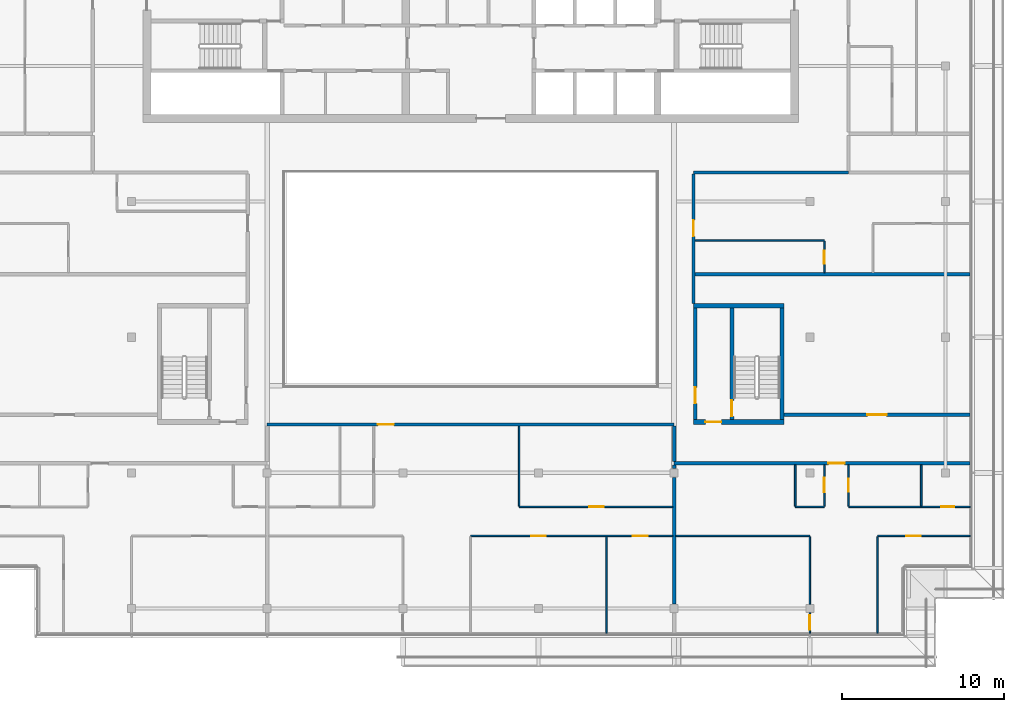
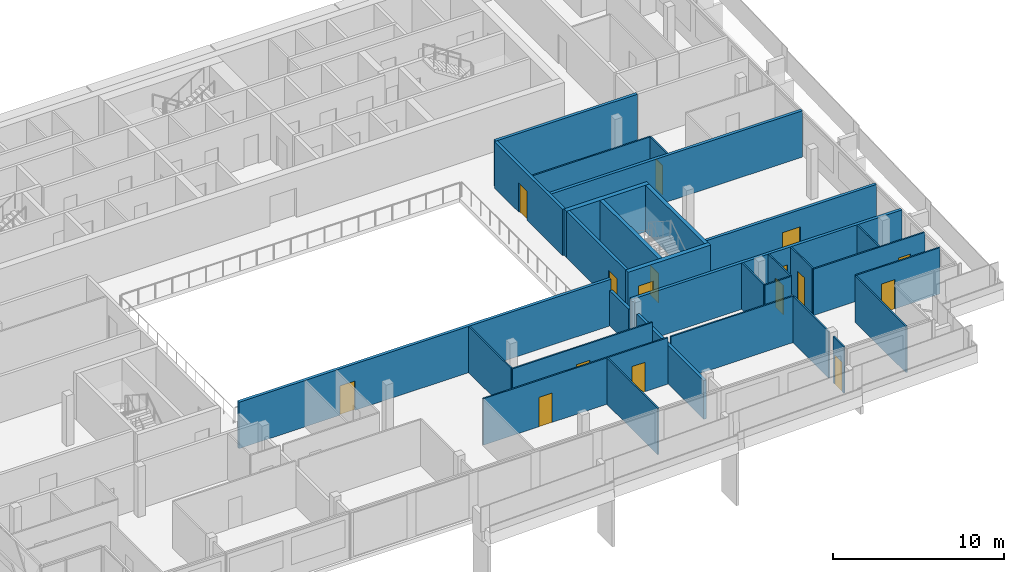
# One storey, part 16 of 26: 31 walls, 16 doors, 16 openings.
"""IFC4 building model written with IfcOpenShell, lengths in metres."""

from ifc_helpers import new_model, si_unit, direction, frame, frame_2d, origin, place, context, subcontext, project, spatial, rectangle, extrude, material, layer, layer_set, type_object, element, fill, save


model = new_model("IFC4")

# Units and contexts
model_context = context("Model", 3, precision=1e-05, world=origin(), true_north=direction((0.0, 1.0)))
body_context = subcontext(model_context, "Body", "Model", "MODEL_VIEW")
ifc_project = project(units=[si_unit("LENGTHUNIT", "METRE"), si_unit("AREAUNIT", "SQUARE_METRE"), si_unit("VOLUMEUNIT", "CUBIC_METRE"), si_unit("PLANEANGLEUNIT", "RADIAN"), si_unit("MASSUNIT", "GRAM", prefix="KILO")], contexts=[model_context])

# Site, building, storey
site_placement = place(None, origin())
site = spatial("IfcSite", under=ifc_project, at=site_placement, CompositionType="ELEMENT")
building_placement = place(site_placement, origin())
building = spatial("IfcBuilding", under=site, at=building_placement, Name="Saffron Gate Tower", CompositionType="ELEMENT")
storey_placement = place(building_placement, frame((0.0, 0.0, 277.949951171875)))
storey = spatial("IfcBuildingStorey", under=building, at=storey_placement, Name="L67", CompositionType="ELEMENT", Elevation=277.949951171875)

# Wall, opening, door
ifc_material_1 = material(Name="Gypsum board partition on steel studs", Category="steel")
ifc_layer_1 = layer(ifc_material_1, 0.199951171875)
ifc_layer_set_1 = layer_set([ifc_layer_1], Name="CW10 Core partition 200")
wall_type_1 = type_object("IfcWallType", Name="CW10 Core partition 200", PredefinedType="PARTITIONING", material=ifc_layer_set_1)
wall_1_placement = place(storey_placement, frame((101.5, 43.5, 0.0), z_axis=(0.0, 0.0, 1.0), x_axis=(0.0, 1.0, 0.0)))
wall_1 = element("IfcWall", 1, at=wall_1_placement, inside=storey, type_object=wall_type_1, Name="Wall CW10-L67-E-2", PredefinedType="PARTITIONING", context=body_context, shape_type="SweptSolid", body=[
    extrude(rectangle(XDim=6.89990234375, YDim=0.199951171875, at=frame_2d((3.449951171875, 0.0))), origin(), (0.0, 0.0, 1.0), 3.320068359375),
])
opening_1_placement = place(wall_1_placement, frame((1.0, 0.0, 0.0)))
opening_1 = element("IfcOpeningElement", 2, at=opening_1_placement, cuts=wall_1, Name="Opening CR-22", PredefinedType="OPENING", context=body_context, shape_type="SweptSolid", body=[
    extrude(rectangle(XDim=1.0, YDim=2.10009765625, at=frame_2d((0.5, 1.050048828125))), frame((0.0, 0.10986328125, 0.0), z_axis=(0.0, -1.0, 0.0), x_axis=(1.0, 0.0, 0.0)), (0.0, 0.0, 1.0), 0.219970703125),
])
ifc_material_2 = material(Name="Steel fire door set", Category="steel")
door_type_1 = type_object("IfcDoorType", Name="CD4 Lobby door 1000x2100 EI 120", OperationType="NOTDEFINED", PredefinedType="DOOR", material=ifc_material_2)
door_1_placement = place(opening_1_placement, origin())
door_1 = element("IfcDoor", 3, at=door_1_placement, inside=storey, type_object=door_type_1, Name="DOOR CR-22", OperationType="SINGLE_SWING_LEFT", OverallHeight=2.10009765625, OverallWidth=1.0, PredefinedType="DOOR", context=body_context, shape_type="SweptSolid", body=[
    extrude(rectangle(XDim=1.0, YDim=2.10009765625, at=frame_2d((0.5, 1.050048828125))), frame((0.0, 0.02490234375, 0.0), z_axis=(0.0, -1.0, 0.0), x_axis=(1.0, 0.0, 0.0)), (0.0, 0.0, 1.0), 0.050048828125),
])
fill(opening_1, door_1)

ifc_material_3 = material(Name="Concrete C50", Category="concrete")
ifc_layer_2 = layer(ifc_material_3, 0.25)
ifc_layer_set_2 = layer_set([ifc_layer_2], Name="CW23 RC core wall 250 C50")
wall_type_2 = type_object("IfcWallType", Name="CW23 RC core wall 250 C50", PredefinedType="SOLIDWALL", material=ifc_layer_set_2)
wall_2_placement = place(storey_placement, frame((103.77490234375, 43.5, 0.0), z_axis=(0.0, 0.0, 1.0), x_axis=(0.0, 1.0, 0.0)))
wall_2 = element("IfcWall", 4, at=wall_2_placement, inside=storey, type_object=wall_type_2, Name="Wall CW23-L67-E-3", PredefinedType="SOLIDWALL", context=body_context, shape_type="SweptSolid", body=[
    extrude(rectangle(XDim=6.89990234375, YDim=0.25, at=frame_2d((3.449951171875, 0.0))), origin(), (0.0, 0.0, 1.0), 3.320068359375),
])
opening_2_placement = place(wall_2_placement, frame((0.199951171875, 0.0, 0.0)))
opening_2 = element("IfcOpeningElement", 5, at=opening_2_placement, cuts=wall_2, Name="Opening CR-23", PredefinedType="OPENING", context=body_context, shape_type="SweptSolid", body=[
    extrude(rectangle(XDim=1.0, YDim=2.10009765625, at=frame_2d((0.5, 1.050048828125))), frame((0.0, 0.135009765625, 0.0), z_axis=(0.0, -1.0, 0.0), x_axis=(1.0, 0.0, 0.0)), (0.0, 0.0, 1.0), 0.27001953125),
])
door_type_2 = type_object("IfcDoorType", Name="CD5 Stair door 1000x2100 EI 120", OperationType="NOTDEFINED", PredefinedType="DOOR", material=ifc_material_2)
door_2_placement = place(opening_2_placement, origin())
door_2 = element("IfcDoor", 6, at=door_2_placement, inside=storey, type_object=door_type_2, Name="DOOR CR-23", OperationType="SINGLE_SWING_RIGHT", OverallHeight=2.10009765625, OverallWidth=1.0, PredefinedType="DOOR", context=body_context, shape_type="SweptSolid", body=[
    extrude(rectangle(XDim=1.0, YDim=2.10009765625, at=frame_2d((0.5, 1.050048828125))), frame((0.0, 0.02490234375, 0.0), z_axis=(0.0, -1.0, 0.0), x_axis=(1.0, 0.0, 0.0)), (0.0, 0.0, 1.0), 0.050048828125),
])
fill(opening_2, door_2)

# Wall
wall_3_placement = place(storey_placement, frame((106.875, 43.5, 0.0), z_axis=(0.0, 0.0, 1.0), x_axis=(0.0, 1.0, 0.0)))
element("IfcWall", 7, at=wall_3_placement, inside=storey, type_object=wall_type_2, Name="Wall CW23-L67-E-4", PredefinedType="SOLIDWALL", context=body_context, shape_type="SweptSolid", body=[
    extrude(rectangle(XDim=6.89990234375, YDim=0.25, at=frame_2d((3.449951171875, 0.0))), origin(), (0.0, 0.0, 1.0), 3.320068359375),
])

# Wall, opening, door
ifc_layer_3 = layer(ifc_material_3, 0.300048828125)
ifc_layer_set_3 = layer_set([ifc_layer_3], Name="CW26 RC core wall 300 C50")
wall_type_3 = type_object("IfcWallType", Name="CW26 RC core wall 300 C50", PredefinedType="SOLIDWALL", material=ifc_layer_set_3)
wall_4_placement = place(storey_placement, frame((101.39990234375, 43.35009765625, 0.0), z_axis=(0.0, 0.0, 1.0), x_axis=(1.0, 0.0, 0.0)))
wall_4 = element("IfcWall", 8, at=wall_4_placement, inside=storey, type_object=wall_type_3, Name="Wall CW26-L67-E-1", PredefinedType="SOLIDWALL", context=body_context, shape_type="SweptSolid", body=[
    extrude(rectangle(XDim=5.60009765625, YDim=0.300048828125, at=frame_2d((2.800048828125, 0.0))), origin(), (0.0, 0.0, 1.0), 3.320068359375),
])
opening_3_placement = place(wall_4_placement, frame((0.72509765625, 0.0, 0.0)))
opening_3 = element("IfcOpeningElement", 9, at=opening_3_placement, cuts=wall_4, Name="Opening CR-21", PredefinedType="OPENING", context=body_context, shape_type="SweptSolid", body=[
    extrude(rectangle(XDim=1.0, YDim=2.10009765625, at=frame_2d((0.5, 1.050048828125))), frame((0.0, 0.16015625, 0.0), z_axis=(0.0, -1.0, 0.0), x_axis=(1.0, 0.0, 0.0)), (0.0, 0.0, 1.0), 0.320068359375),
])
door_3_placement = place(opening_3_placement, origin())
door_3 = element("IfcDoor", 10, at=door_3_placement, inside=storey, type_object=door_type_1, Name="DOOR CR-21", OperationType="SINGLE_SWING_RIGHT", OverallHeight=2.10009765625, OverallWidth=1.0, PredefinedType="DOOR", context=body_context, shape_type="SweptSolid", body=[
    extrude(rectangle(XDim=1.0, YDim=2.10009765625, at=frame_2d((0.5, 1.050048828125))), frame((0.0, 0.02490234375, 0.0), z_axis=(0.0, -1.0, 0.0), x_axis=(1.0, 0.0, 0.0)), (0.0, 0.0, 1.0), 0.050048828125),
])
fill(opening_3, door_3)

# Wall
wall_5_placement = place(storey_placement, frame((101.39990234375, 50.550048828125, 0.0), z_axis=(0.0, 0.0, 1.0), x_axis=(1.0, 0.0, 0.0)))
element("IfcWall", 11, at=wall_5_placement, inside=storey, type_object=wall_type_3, Name="Wall CW26-L67-E-5", PredefinedType="SOLIDWALL", context=body_context, shape_type="SweptSolid", body=[
    extrude(rectangle(XDim=5.60009765625, YDim=0.300048828125, at=frame_2d((2.800048828125, 0.0))), origin(), (0.0, 0.0, 1.0), 3.320068359375),
])

# Wall, opening, door
ifc_material_4 = material(Name="Plasterboard on steel studs", Category="steel")
ifc_layer_4 = layer(ifc_material_4, 0.10009765625)
ifc_layer_set_4 = layer_set([ifc_layer_4], Name="PW1 Partition 100")
wall_type_4 = type_object("IfcWallType", Name="PW1 Partition 100", PredefinedType="PARTITIONING", material=ifc_layer_set_4)
wall_6_placement = place(storey_placement, frame((118.52001953125, 36.300048828125, 0.0), z_axis=(0.0, 0.0, 1.0), x_axis=(-1.0, 0.0, 0.0)))
wall_6 = element("IfcWall", 12, at=wall_6_placement, inside=storey, type_object=wall_type_4, Name="Partition E3-2", PredefinedType="PARTITIONING", context=body_context, shape_type="SweptSolid", body=[
    extrude(rectangle(XDim=5.719970703125, YDim=0.10009765625, at=frame_2d((2.85986328125, 0.0))), origin(), (0.0, 0.0, 1.0), 3.320068359375),
])
opening_4_placement = place(wall_6_placement, frame((3.0576171875, 0.0, 0.0)))
opening_4 = element("IfcOpeningElement", 13, at=opening_4_placement, cuts=wall_6, Name="Opening E3-16", PredefinedType="OPENING", context=body_context, shape_type="SweptSolid", body=[
    extrude(rectangle(XDim=0.89990234375, YDim=2.10009765625, at=frame_2d((0.449951171875, 1.050048828125))), frame((0.0, 0.06005859375, 0.0), z_axis=(0.0, -1.0, 0.0), x_axis=(1.0, 0.0, 0.0)), (0.0, 0.0, 1.0), 0.1201171875),
])
ifc_material_5 = material(Name="Timber door set", Category="wood")
door_type_3 = type_object("IfcDoorType", Name="RD1 Room door 900x2100", OperationType="NOTDEFINED", PredefinedType="DOOR", material=ifc_material_5)
door_4_placement = place(opening_4_placement, origin())
door_4 = element("IfcDoor", 14, at=door_4_placement, inside=storey, type_object=door_type_3, Name="Door E3-16", OperationType="SINGLE_SWING_RIGHT", OverallHeight=2.10009765625, OverallWidth=0.89990234375, PredefinedType="DOOR", context=body_context, shape_type="SweptSolid", body=[
    extrude(rectangle(XDim=0.89990234375, YDim=2.10009765625, at=frame_2d((0.449951171875, 1.050048828125))), frame((0.0, 0.02490234375, 0.0), z_axis=(0.0, -1.0, 0.0), x_axis=(1.0, 0.0, 0.0)), (0.0, 0.0, 1.0), 0.050048828125),
])
fill(opening_4, door_4)

wall_7_placement = place(storey_placement, frame((90.60009765625, 38.10009765625, 0.0), z_axis=(0.0, 0.0, 1.0), x_axis=(1.0, 0.0, 0.0)))
wall_7 = element("IfcWall", 15, at=wall_7_placement, inside=storey, type_object=wall_type_4, Name="Partition E3-4", PredefinedType="PARTITIONING", context=body_context, shape_type="SweptSolid", body=[
    extrude(rectangle(XDim=9.5, YDim=0.10009765625, at=frame_2d((4.75, 0.0))), origin(), (0.0, 0.0, 1.0), 3.320068359375),
])
opening_5_placement = place(wall_7_placement, frame((4.35009765625, 0.0, 0.0)))
opening_5 = element("IfcOpeningElement", 16, at=opening_5_placement, cuts=wall_7, Name="Opening E3-14", PredefinedType="OPENING", context=body_context, shape_type="SweptSolid", body=[
    extrude(rectangle(XDim=0.89990234375, YDim=2.10009765625, at=frame_2d((0.449951171875, 1.050048828125))), frame((0.0, 0.06005859375, 0.0), z_axis=(0.0, -1.0, 0.0), x_axis=(1.0, 0.0, 0.0)), (0.0, 0.0, 1.0), 0.1201171875),
])
door_5_placement = place(opening_5_placement, origin())
door_5 = element("IfcDoor", 17, at=door_5_placement, inside=storey, type_object=door_type_3, Name="Door E3-14", OperationType="SINGLE_SWING_RIGHT", OverallHeight=2.10009765625, OverallWidth=0.89990234375, PredefinedType="DOOR", context=body_context, shape_type="SweptSolid", body=[
    extrude(rectangle(XDim=0.89990234375, YDim=2.10009765625, at=frame_2d((0.449951171875, 1.050048828125))), frame((0.0, 0.02490234375, 0.0), z_axis=(0.0, -1.0, 0.0), x_axis=(1.0, 0.0, 0.0)), (0.0, 0.0, 1.0), 0.050048828125),
])
fill(opening_5, door_5)

# Wall
wall_8_placement = place(storey_placement, frame((107.699951171875, 38.10009765625, 0.0), z_axis=(0.0, 0.0, 1.0), x_axis=(1.0, 0.0, 0.0)))
element("IfcWall", 18, at=wall_8_placement, inside=storey, type_object=wall_type_4, Name="Partition E3-5", PredefinedType="PARTITIONING", context=body_context, shape_type="SweptSolid", body=[
    extrude(rectangle(XDim=1.800048828125, YDim=0.10009765625, at=frame_2d((0.89990234375, 0.0))), origin(), (0.0, 0.0, 1.0), 3.320068359375),
])

# Wall, opening, door
wall_9_placement = place(storey_placement, frame((111.0, 38.10009765625, 0.0), z_axis=(0.0, 0.0, 1.0), x_axis=(1.0, 0.0, 0.0)))
wall_9 = element("IfcWall", 19, at=wall_9_placement, inside=storey, type_object=wall_type_4, Name="Partition E3-6", PredefinedType="PARTITIONING", context=body_context, shape_type="SweptSolid", body=[
    extrude(rectangle(XDim=7.52001953125, YDim=0.10009765625, at=frame_2d((3.760009765625, 0.0))), origin(), (0.0, 0.0, 1.0), 3.320068359375),
])
opening_6_placement = place(wall_9_placement, frame((5.75, 0.0, 0.0)))
opening_6 = element("IfcOpeningElement", 20, at=opening_6_placement, cuts=wall_9, Name="Opening E3-27", PredefinedType="OPENING", context=body_context, shape_type="SweptSolid", body=[
    extrude(rectangle(XDim=0.800048828125, YDim=2.10009765625, at=frame_2d((0.39990234375, 1.050048828125))), frame((0.0, 0.06005859375, 0.0), z_axis=(0.0, -1.0, 0.0), x_axis=(1.0, 0.0, 0.0)), (0.0, 0.0, 1.0), 0.1201171875),
])
door_type_4 = type_object("IfcDoorType", Name="RD2 Bathroom door 800x2100", OperationType="NOTDEFINED", PredefinedType="DOOR", material=ifc_material_5)
door_6_placement = place(opening_6_placement, origin())
door_6 = element("IfcDoor", 21, at=door_6_placement, inside=storey, type_object=door_type_4, Name="Door E3-27", OperationType="SINGLE_SWING_RIGHT", OverallHeight=2.10009765625, OverallWidth=0.800048828125, PredefinedType="DOOR", context=body_context, shape_type="SweptSolid", body=[
    extrude(rectangle(XDim=0.800048828125, YDim=2.10009765625, at=frame_2d((0.39990234375, 1.050048828125))), frame((0.0, 0.02490234375, 0.0), z_axis=(0.0, -1.0, 0.0), x_axis=(1.0, 0.0, 0.0)), (0.0, 0.0, 1.0), 0.050048828125),
])
fill(opening_6, door_6)

# Walls
wall_10_placement = place(storey_placement, frame((101.5, 54.60009765625, 0.0), z_axis=(0.0, 0.0, 1.0), x_axis=(1.0, 0.0, 0.0)))
element("IfcWall", 22, at=wall_10_placement, inside=storey, type_object=wall_type_4, Name="Partition E3-14", PredefinedType="PARTITIONING", context=body_context, shape_type="SweptSolid", body=[
    extrude(rectangle(XDim=8.0, YDim=0.10009765625, at=frame_2d((4.0, 0.0))), origin(), (0.0, 0.0, 1.0), 3.320068359375),
])
wall_11_placement = place(storey_placement, frame((90.60009765625, 43.10009765625, 0.0), z_axis=(0.0, 0.0, 1.0), x_axis=(0.0, -1.0, 0.0)))
element("IfcWall", 23, at=wall_11_placement, inside=storey, type_object=wall_type_4, Name="Partition E3-54", PredefinedType="PARTITIONING", context=body_context, shape_type="SweptSolid", body=[
    extrude(rectangle(XDim=4.9501953125, YDim=0.10009765625, at=frame_2d((2.47509765625, 0.0))), origin(), (0.0, 0.0, 1.0), 3.320068359375),
])
wall_12_placement = place(storey_placement, frame((96.0, 36.25, 0.0), z_axis=(0.0, 0.0, 1.0), x_axis=(0.0, -1.0, 0.0)))
element("IfcWall", 24, at=wall_12_placement, inside=storey, type_object=wall_type_4, Name="Partition E3-55", PredefinedType="PARTITIONING", context=body_context, shape_type="SweptSolid", body=[
    extrude(rectangle(XDim=5.969970703125, YDim=0.10009765625, at=frame_2d((2.98486328125, 0.0))), origin(), (0.0, 0.0, 1.0), 3.320068359375),
])
wall_13_placement = place(storey_placement, frame((107.699951171875, 40.699951171875, 0.0), z_axis=(0.0, 0.0, 1.0), x_axis=(0.0, -1.0, 0.0)))
element("IfcWall", 25, at=wall_13_placement, inside=storey, type_object=wall_type_4, Name="Partition E3-61", PredefinedType="PARTITIONING", context=body_context, shape_type="SweptSolid", body=[
    extrude(rectangle(XDim=2.550048828125, YDim=0.10009765625, at=frame_2d((1.27490234375, 0.0))), origin(), (0.0, 0.0, 1.0), 3.320068359375),
])

# Wall, opening, door
wall_14_placement = place(storey_placement, frame((108.60009765625, 30.280029296875, 0.0), z_axis=(0.0, 0.0, 1.0), x_axis=(0.0, 1.0, 0.0)))
wall_14 = element("IfcWall", 26, at=wall_14_placement, inside=storey, type_object=wall_type_4, Name="Partition E3-62", PredefinedType="PARTITIONING", context=body_context, shape_type="SweptSolid", body=[
    extrude(rectangle(XDim=1.25, YDim=0.10009765625, at=frame_2d((0.625, 0.0))), origin(), (0.0, 0.0, 1.0), 3.320068359375),
])
opening_7_placement = place(wall_14_placement, frame((0.199951171875, 0.0, 0.0)))
opening_7 = element("IfcOpeningElement", 27, at=opening_7_placement, cuts=wall_14, Name="Opening E3-15", PredefinedType="OPENING", context=body_context, shape_type="SweptSolid", body=[
    extrude(rectangle(XDim=0.89990234375, YDim=2.10009765625, at=frame_2d((0.449951171875, 1.050048828125))), frame((0.0, 0.06005859375, 0.0), z_axis=(0.0, -1.0, 0.0), x_axis=(1.0, 0.0, 0.0)), (0.0, 0.0, 1.0), 0.1201171875),
])
door_7_placement = place(opening_7_placement, origin())
door_7 = element("IfcDoor", 28, at=door_7_placement, inside=storey, type_object=door_type_3, Name="Door E3-15", OperationType="SINGLE_SWING_RIGHT", OverallHeight=2.10009765625, OverallWidth=0.89990234375, PredefinedType="DOOR", context=body_context, shape_type="SweptSolid", body=[
    extrude(rectangle(XDim=0.89990234375, YDim=2.10009765625, at=frame_2d((0.449951171875, 1.050048828125))), frame((0.0, 0.02490234375, 0.0), z_axis=(0.0, -1.0, 0.0), x_axis=(1.0, 0.0, 0.0)), (0.0, 0.0, 1.0), 0.050048828125),
])
fill(opening_7, door_7)

# Wall
wall_15_placement = place(storey_placement, frame((108.60009765625, 36.25, 0.0), z_axis=(0.0, 0.0, 1.0), x_axis=(0.0, -1.0, 0.0)))
element("IfcWall", 29, at=wall_15_placement, inside=storey, type_object=wall_type_4, Name="Partition E3-63", PredefinedType="PARTITIONING", context=body_context, shape_type="SweptSolid", body=[
    extrude(rectangle(XDim=4.179931640625, YDim=0.10009765625, at=frame_2d((2.08984375, 0.0))), origin(), (0.0, 0.0, 1.0), 3.320068359375),
])

# Wall, opening, door
wall_16_placement = place(storey_placement, frame((109.5, 38.14990234375, 0.0), z_axis=(0.0, 0.0, 1.0), x_axis=(0.0, 1.0, 0.0)))
wall_16 = element("IfcWall", 30, at=wall_16_placement, inside=storey, type_object=wall_type_4, Name="Partition E3-64", PredefinedType="PARTITIONING", context=body_context, shape_type="SweptSolid", body=[
    extrude(rectangle(XDim=2.550048828125, YDim=0.10009765625, at=frame_2d((1.27490234375, 0.0))), origin(), (0.0, 0.0, 1.0), 3.320068359375),
])
opening_8_placement = place(wall_16_placement, frame((0.85009765625, 0.0, 0.0)))
opening_8 = element("IfcOpeningElement", 31, at=opening_8_placement, cuts=wall_16, Name="Opening E3-17", PredefinedType="OPENING", context=body_context, shape_type="SweptSolid", body=[
    extrude(rectangle(XDim=0.89990234375, YDim=2.10009765625, at=frame_2d((0.449951171875, 1.050048828125))), frame((0.0, 0.06005859375, 0.0), z_axis=(0.0, -1.0, 0.0), x_axis=(1.0, 0.0, 0.0)), (0.0, 0.0, 1.0), 0.1201171875),
])
door_8_placement = place(opening_8_placement, origin())
door_8 = element("IfcDoor", 32, at=door_8_placement, inside=storey, type_object=door_type_3, Name="Door E3-17", OperationType="SINGLE_SWING_RIGHT", OverallHeight=2.10009765625, OverallWidth=0.89990234375, PredefinedType="DOOR", context=body_context, shape_type="SweptSolid", body=[
    extrude(rectangle(XDim=0.89990234375, YDim=2.10009765625, at=frame_2d((0.449951171875, 1.050048828125))), frame((0.0, 0.02490234375, 0.0), z_axis=(0.0, -1.0, 0.0), x_axis=(1.0, 0.0, 0.0)), (0.0, 0.0, 1.0), 0.050048828125),
])
fill(opening_8, door_8)

wall_17_placement = place(storey_placement, frame((109.5, 52.60009765625, 0.0), z_axis=(0.0, 0.0, 1.0), x_axis=(0.0, 1.0, 0.0)))
wall_17 = element("IfcWall", 33, at=wall_17_placement, inside=storey, type_object=wall_type_4, Name="Partition E3-65", PredefinedType="PARTITIONING", context=body_context, shape_type="SweptSolid", body=[
    extrude(rectangle(XDim=1.949951171875, YDim=0.10009765625, at=frame_2d((0.97509765625, 0.0))), origin(), (0.0, 0.0, 1.0), 3.320068359375),
])
opening_9_placement = place(wall_17_placement, frame((0.550048828125, 0.0, 0.0)))
opening_9 = element("IfcOpeningElement", 34, at=opening_9_placement, cuts=wall_17, Name="Opening E3-30", PredefinedType="OPENING", context=body_context, shape_type="SweptSolid", body=[
    extrude(rectangle(XDim=0.800048828125, YDim=2.10009765625, at=frame_2d((0.39990234375, 1.050048828125))), frame((0.0, 0.06005859375, 0.0), z_axis=(0.0, -1.0, 0.0), x_axis=(1.0, 0.0, 0.0)), (0.0, 0.0, 1.0), 0.1201171875),
])
door_9_placement = place(opening_9_placement, origin())
door_9 = element("IfcDoor", 35, at=door_9_placement, inside=storey, type_object=door_type_4, Name="Door E3-30", OperationType="SINGLE_SWING_LEFT", OverallHeight=2.10009765625, OverallWidth=0.800048828125, PredefinedType="DOOR", context=body_context, shape_type="SweptSolid", body=[
    extrude(rectangle(XDim=0.800048828125, YDim=2.10009765625, at=frame_2d((0.39990234375, 1.050048828125))), frame((0.0, 0.02490234375, 0.0), z_axis=(0.0, -1.0, 0.0), x_axis=(1.0, 0.0, 0.0)), (0.0, 0.0, 1.0), 0.050048828125),
])
fill(opening_9, door_9)

wall_18_placement = place(storey_placement, frame((111.0, 40.699951171875, 0.0), z_axis=(0.0, 0.0, 1.0), x_axis=(0.0, -1.0, 0.0)))
wall_18 = element("IfcWall", 36, at=wall_18_placement, inside=storey, type_object=wall_type_4, Name="Partition E3-68", PredefinedType="PARTITIONING", context=body_context, shape_type="SweptSolid", body=[
    extrude(rectangle(XDim=2.550048828125, YDim=0.10009765625, at=frame_2d((1.27490234375, 0.0))), origin(), (0.0, 0.0, 1.0), 3.320068359375),
])
opening_10_placement = place(wall_18_placement, frame((0.85009765625, 0.0, 0.0)))
opening_10 = element("IfcOpeningElement", 37, at=opening_10_placement, cuts=wall_18, Name="Opening E3-26", PredefinedType="OPENING", context=body_context, shape_type="SweptSolid", body=[
    extrude(rectangle(XDim=0.800048828125, YDim=2.10009765625, at=frame_2d((0.39990234375, 1.050048828125))), frame((0.0, 0.06005859375, 0.0), z_axis=(0.0, -1.0, 0.0), x_axis=(1.0, 0.0, 0.0)), (0.0, 0.0, 1.0), 0.1201171875),
])
door_10_placement = place(opening_10_placement, origin())
door_10 = element("IfcDoor", 38, at=door_10_placement, inside=storey, type_object=door_type_4, Name="Door E3-26", OperationType="SINGLE_SWING_LEFT", OverallHeight=2.10009765625, OverallWidth=0.800048828125, PredefinedType="DOOR", context=body_context, shape_type="SweptSolid", body=[
    extrude(rectangle(XDim=0.800048828125, YDim=2.10009765625, at=frame_2d((0.39990234375, 1.050048828125))), frame((0.0, 0.02490234375, 0.0), z_axis=(0.0, -1.0, 0.0), x_axis=(1.0, 0.0, 0.0)), (0.0, 0.0, 1.0), 0.050048828125),
])
fill(opening_10, door_10)

# Walls
wall_19_placement = place(storey_placement, frame((112.800048828125, 36.25, 0.0), z_axis=(0.0, 0.0, 1.0), x_axis=(0.0, -1.0, 0.0)))
element("IfcWall", 39, at=wall_19_placement, inside=storey, type_object=wall_type_4, Name="Partition E3-70", PredefinedType="PARTITIONING", context=body_context, shape_type="SweptSolid", body=[
    extrude(rectangle(XDim=5.969970703125, YDim=0.10009765625, at=frame_2d((2.98486328125, 0.0))), origin(), (0.0, 0.0, 1.0), 3.320068359375),
])
wall_20_placement = place(storey_placement, frame((115.5, 40.699951171875, 0.0), z_axis=(0.0, 0.0, 1.0), x_axis=(0.0, -1.0, 0.0)))
element("IfcWall", 40, at=wall_20_placement, inside=storey, type_object=wall_type_4, Name="Partition E3-73", PredefinedType="PARTITIONING", context=body_context, shape_type="SweptSolid", body=[
    extrude(rectangle(XDim=2.550048828125, YDim=0.10009765625, at=frame_2d((1.27490234375, 0.0))), origin(), (0.0, 0.0, 1.0), 3.320068359375),
])

# Wall, openings, doors
wall_21_placement = place(storey_placement, frame((100.10009765625, 36.300048828125, 0.0), z_axis=(0.0, 0.0, 1.0), x_axis=(-1.0, 0.0, 0.0)))
wall_21 = element("IfcWall", 41, at=wall_21_placement, inside=storey, type_object=wall_type_4, Name="Partition E3-76", PredefinedType="PARTITIONING", context=body_context, shape_type="SweptSolid", body=[
    extrude(rectangle(XDim=12.5, YDim=0.10009765625, at=frame_2d((6.25, 0.0))), origin(), (0.0, 0.0, 1.0), 3.320068359375),
])
opening_11_placement = place(wall_21_placement, frame((1.550048828125, 0.0, 0.0)))
opening_11 = element("IfcOpeningElement", 42, at=opening_11_placement, cuts=wall_21, Name="Opening E3-13", PredefinedType="OPENING", context=body_context, shape_type="SweptSolid", body=[
    extrude(rectangle(XDim=0.89990234375, YDim=2.10009765625, at=frame_2d((0.449951171875, 1.050048828125))), frame((0.0, 0.06005859375, 0.0), z_axis=(0.0, -1.0, 0.0), x_axis=(1.0, 0.0, 0.0)), (0.0, 0.0, 1.0), 0.1201171875),
])
opening_12_placement = place(wall_21_placement, frame((7.85009765625, 0.0, 0.0)))
opening_12 = element("IfcOpeningElement", 43, at=opening_12_placement, cuts=wall_21, Name="Opening E3-12", PredefinedType="OPENING", context=body_context, shape_type="SweptSolid", body=[
    extrude(rectangle(XDim=0.89990234375, YDim=2.10009765625, at=frame_2d((0.449951171875, 1.050048828125))), frame((0.0, 0.06005859375, 0.0), z_axis=(0.0, -1.0, 0.0), x_axis=(1.0, 0.0, 0.0)), (0.0, 0.0, 1.0), 0.1201171875),
])
door_11_placement = place(opening_11_placement, origin())
door_11 = element("IfcDoor", 44, at=door_11_placement, inside=storey, type_object=door_type_3, Name="Door E3-13", OperationType="SINGLE_SWING_LEFT", OverallHeight=2.10009765625, OverallWidth=0.89990234375, PredefinedType="DOOR", context=body_context, shape_type="SweptSolid", body=[
    extrude(rectangle(XDim=0.89990234375, YDim=2.10009765625, at=frame_2d((0.449951171875, 1.050048828125))), frame((0.0, 0.02490234375, 0.0), z_axis=(0.0, -1.0, 0.0), x_axis=(1.0, 0.0, 0.0)), (0.0, 0.0, 1.0), 0.050048828125),
])
fill(opening_11, door_11)
door_12_placement = place(opening_12_placement, origin())
door_12 = element("IfcDoor", 45, at=door_12_placement, inside=storey, type_object=door_type_3, Name="Door E3-12", OperationType="SINGLE_SWING_RIGHT", OverallHeight=2.10009765625, OverallWidth=0.89990234375, PredefinedType="DOOR", context=body_context, shape_type="SweptSolid", body=[
    extrude(rectangle(XDim=0.89990234375, YDim=2.10009765625, at=frame_2d((0.449951171875, 1.050048828125))), frame((0.0, 0.02490234375, 0.0), z_axis=(0.0, -1.0, 0.0), x_axis=(1.0, 0.0, 0.0)), (0.0, 0.0, 1.0), 0.050048828125),
])
fill(opening_12, door_12)

# Walls
wall_22_placement = place(storey_placement, frame((100.300048828125, 36.300048828125, 0.0), z_axis=(0.0, 0.0, 1.0), x_axis=(1.0, 0.0, 0.0)))
element("IfcWall", 46, at=wall_22_placement, inside=storey, type_object=wall_type_4, Name="Partition E3-77", PredefinedType="PARTITIONING", context=body_context, shape_type="SweptSolid", body=[
    extrude(rectangle(XDim=8.300048828125, YDim=0.10009765625, at=frame_2d((4.14990234375, 0.0))), origin(), (0.0, 0.0, 1.0), 3.320068359375),
])
ifc_material_6 = material(Name="Clay brick masonry, rendered", Category="masonry")
ifc_layer_5 = layer(ifc_material_6, 0.199951171875)
ifc_layer_set_5 = layer_set([ifc_layer_5], Name="PW2 Demising wall 200")
wall_type_5 = type_object("IfcWallType", Name="PW2 Demising wall 200", PredefinedType="PARTITIONING", material=ifc_layer_set_5)
wall_23_placement = place(storey_placement, frame((100.199951171875, 39.929931640625, 0.0), z_axis=(0.0, 0.0, 1.0), x_axis=(0.0, -1.0, 0.0)))
element("IfcWall", 47, at=wall_23_placement, inside=storey, type_object=wall_type_5, Name="Wall E3-58", PredefinedType="PARTITIONING", context=body_context, shape_type="SweptSolid", body=[
    extrude(rectangle(XDim=7.85986328125, YDim=0.199951171875, at=frame_2d((3.929931640625, 0.0))), origin(), (0.0, 0.0, 1.0), 2.77001953125),
])
wall_24_placement = place(storey_placement, frame((100.199951171875, 40.699951171875, 0.0), z_axis=(0.0, 0.0, 1.0), x_axis=(0.0, -1.0, 0.0)))
element("IfcWall", 48, at=wall_24_placement, inside=storey, type_object=wall_type_5, Name="Wall E3-59", PredefinedType="PARTITIONING", context=body_context, shape_type="SweptSolid", body=[
    extrude(rectangle(XDim=0.22998046875, YDim=0.199951171875, at=frame_2d((0.114990234375, 0.0))), origin(), (0.0, 0.0, 1.0), 3.320068359375),
])

# Wall, opening, door
ifc_layer_6 = layer(ifc_material_6, 0.199951171875)
ifc_layer_set_6 = layer_set([ifc_layer_6], Name="PW3 Corridor wall 200")
wall_type_6 = type_object("IfcWallType", Name="PW3 Corridor wall 200", PredefinedType="PARTITIONING", material=ifc_layer_set_6)
wall_25_placement = place(storey_placement, frame((118.52001953125, 40.800048828125, 0.0), z_axis=(0.0, 0.0, 1.0), x_axis=(-1.0, 0.0, 0.0)))
wall_25 = element("IfcWall", 49, at=wall_25_placement, inside=storey, type_object=wall_type_6, Name="Wall E3-8", PredefinedType="PARTITIONING", context=body_context, shape_type="SweptSolid", body=[
    extrude(rectangle(XDim=18.320068359375, YDim=0.199951171875, at=frame_2d((9.16015625, 0.0))), origin(), (0.0, 0.0, 1.0), 3.320068359375),
])
opening_13_placement = place(wall_25_placement, frame((7.77001953125, 0.0, 0.0)))
opening_13 = element("IfcOpeningElement", 50, at=opening_13_placement, cuts=wall_25, Name="Opening E3-3", PredefinedType="OPENING", context=body_context, shape_type="SweptSolid", body=[
    extrude(rectangle(XDim=1.0, YDim=2.10009765625, at=frame_2d((0.5, 1.050048828125))), frame((0.0, 0.10986328125, 0.0), z_axis=(0.0, -1.0, 0.0), x_axis=(1.0, 0.0, 0.0)), (0.0, 0.0, 1.0), 0.219970703125),
])
ifc_material_7 = material(Name="Timber fire door set", Category="wood")
door_type_5 = type_object("IfcDoorType", Name="FD1 Flat entry door 1000x2100", OperationType="NOTDEFINED", PredefinedType="DOOR", material=ifc_material_7)
door_13_placement = place(opening_13_placement, origin())
door_13 = element("IfcDoor", 51, at=door_13_placement, inside=storey, type_object=door_type_5, Name="Door E3-3", OperationType="SINGLE_SWING_RIGHT", OverallHeight=2.10009765625, OverallWidth=1.0, PredefinedType="DOOR", context=body_context, shape_type="SweptSolid", body=[
    extrude(rectangle(XDim=1.0, YDim=2.10009765625, at=frame_2d((0.5, 1.050048828125))), frame((0.0, 0.02490234375, 0.0), z_axis=(0.0, -1.0, 0.0), x_axis=(1.0, 0.0, 0.0)), (0.0, 0.0, 1.0), 0.050048828125),
])
fill(opening_13, door_13)

wall_26_placement = place(storey_placement, frame((100.199951171875, 43.199951171875, 0.0), z_axis=(0.0, 0.0, 1.0), x_axis=(-1.0, 0.0, 0.0)))
wall_26 = element("IfcWall", 52, at=wall_26_placement, inside=storey, type_object=wall_type_6, Name="Wall E3-9", PredefinedType="PARTITIONING", context=body_context, shape_type="SweptSolid", body=[
    extrude(rectangle(XDim=25.199951171875, YDim=0.199951171875, at=frame_2d((12.60009765625, 0.0))), origin(), (0.0, 0.0, 1.0), 3.320068359375),
])
opening_14_placement = place(wall_26_placement, frame((17.35009765625, 0.0, 0.0)))
opening_14 = element("IfcOpeningElement", 53, at=opening_14_placement, cuts=wall_26, Name="Opening E3-2", PredefinedType="OPENING", context=body_context, shape_type="SweptSolid", body=[
    extrude(rectangle(XDim=1.0, YDim=2.10009765625, at=frame_2d((0.5, 1.050048828125))), frame((0.0, 0.10986328125, 0.0), z_axis=(0.0, -1.0, 0.0), x_axis=(1.0, 0.0, 0.0)), (0.0, 0.0, 1.0), 0.219970703125),
])
door_14_placement = place(opening_14_placement, origin())
door_14 = element("IfcDoor", 54, at=door_14_placement, inside=storey, type_object=door_type_5, Name="Door E3-2", OperationType="SINGLE_SWING_RIGHT", OverallHeight=2.10009765625, OverallWidth=1.0, PredefinedType="DOOR", context=body_context, shape_type="SweptSolid", body=[
    extrude(rectangle(XDim=1.0, YDim=2.10009765625, at=frame_2d((0.5, 1.050048828125))), frame((0.0, 0.02490234375, 0.0), z_axis=(0.0, -1.0, 0.0), x_axis=(1.0, 0.0, 0.0)), (0.0, 0.0, 1.0), 0.050048828125),
])
fill(opening_14, door_14)

wall_27_placement = place(storey_placement, frame((107.0, 43.800048828125, 0.0), z_axis=(0.0, 0.0, 1.0), x_axis=(1.0, 0.0, 0.0)))
wall_27 = element("IfcWall", 55, at=wall_27_placement, inside=storey, type_object=wall_type_6, Name="Wall E3-11", PredefinedType="PARTITIONING", context=body_context, shape_type="SweptSolid", body=[
    extrude(rectangle(XDim=11.52001953125, YDim=0.199951171875, at=frame_2d((5.760009765625, 0.0))), origin(), (0.0, 0.0, 1.0), 3.320068359375),
])
opening_15_placement = place(wall_27_placement, frame((5.159912109375, 0.0, 0.0)))
opening_15 = element("IfcOpeningElement", 56, at=opening_15_placement, cuts=wall_27, Name="Opening E3-32", PredefinedType="OPENING", context=body_context, shape_type="SweptSolid", body=[
    extrude(rectangle(XDim=1.199951171875, YDim=2.10009765625, at=frame_2d((0.60009765625, 1.050048828125))), frame((0.0, 0.10986328125, 0.0), z_axis=(0.0, -1.0, 0.0), x_axis=(1.0, 0.0, 0.0)), (0.0, 0.0, 1.0), 0.219970703125),
])
door_type_6 = type_object("IfcDoorType", Name="HD1 Hall door 1200x2100", OperationType="NOTDEFINED", PredefinedType="DOOR", material=ifc_material_5)
door_15_placement = place(opening_15_placement, origin())
door_15 = element("IfcDoor", 57, at=door_15_placement, inside=storey, type_object=door_type_6, Name="Door E3-32", OperationType="SINGLE_SWING_LEFT", OverallHeight=2.10009765625, OverallWidth=1.199951171875, PredefinedType="DOOR", context=body_context, shape_type="SweptSolid", body=[
    extrude(rectangle(XDim=1.199951171875, YDim=2.10009765625, at=frame_2d((0.60009765625, 1.050048828125))), frame((0.0, 0.02490234375, 0.0), z_axis=(0.0, -1.0, 0.0), x_axis=(1.0, 0.0, 0.0)), (0.0, 0.0, 1.0), 0.050048828125),
])
fill(opening_15, door_15)

# Walls
wall_28_placement = place(storey_placement, frame((101.39990234375, 58.800048828125, 0.0), z_axis=(0.0, 0.0, 1.0), x_axis=(1.0, 0.0, 0.0)))
element("IfcWall", 58, at=wall_28_placement, inside=storey, type_object=wall_type_6, Name="Wall E3-19", PredefinedType="PARTITIONING", context=body_context, shape_type="SweptSolid", body=[
    extrude(rectangle(XDim=9.60009765625, YDim=0.199951171875, at=frame_2d((4.800048828125, 0.0))), origin(), (0.0, 0.0, 1.0), 3.320068359375),
])
wall_29_placement = place(storey_placement, frame((100.199951171875, 43.10009765625, 0.0), z_axis=(0.0, 0.0, 1.0), x_axis=(0.0, -1.0, 0.0)))
element("IfcWall", 59, at=wall_29_placement, inside=storey, type_object=wall_type_6, Name="Wall E3-56", PredefinedType="PARTITIONING", context=body_context, shape_type="SweptSolid", body=[
    extrude(rectangle(XDim=2.2001953125, YDim=0.199951171875, at=frame_2d((1.10009765625, 0.0))), origin(), (0.0, 0.0, 1.0), 2.530029296875),
])

# Wall, opening, door
wall_30_placement = place(storey_placement, frame((101.39990234375, 58.699951171875, 0.0), z_axis=(0.0, 0.0, 1.0), x_axis=(0.0, -1.0, 0.0)))
wall_30 = element("IfcWall", 60, at=wall_30_placement, inside=storey, type_object=wall_type_6, Name="Wall E3-60", PredefinedType="PARTITIONING", context=body_context, shape_type="SweptSolid", body=[
    extrude(rectangle(XDim=8.0, YDim=0.199951171875, at=frame_2d((4.0, 0.0))), origin(), (0.0, 0.0, 1.0), 3.320068359375),
])
opening_16_placement = place(wall_30_placement, frame((2.85009765625, 0.0, 0.0)))
opening_16 = element("IfcOpeningElement", 61, at=opening_16_placement, cuts=wall_30, Name="Opening E3-6", PredefinedType="OPENING", context=body_context, shape_type="SweptSolid", body=[
    extrude(rectangle(XDim=1.0, YDim=2.10009765625, at=frame_2d((0.5, 1.050048828125))), frame((0.0, 0.10986328125, 0.0), z_axis=(0.0, -1.0, 0.0), x_axis=(1.0, 0.0, 0.0)), (0.0, 0.0, 1.0), 0.219970703125),
])
door_16_placement = place(opening_16_placement, origin())
door_16 = element("IfcDoor", 62, at=door_16_placement, inside=storey, type_object=door_type_5, Name="Door E3-6", OperationType="SINGLE_SWING_LEFT", OverallHeight=2.10009765625, OverallWidth=1.0, PredefinedType="DOOR", context=body_context, shape_type="SweptSolid", body=[
    extrude(rectangle(XDim=1.0, YDim=2.10009765625, at=frame_2d((0.5, 1.050048828125))), frame((0.0, 0.02490234375, 0.0), z_axis=(0.0, -1.0, 0.0), x_axis=(1.0, 0.0, 0.0)), (0.0, 0.0, 1.0), 0.050048828125),
])
fill(opening_16, door_16)

# Wall
ifc_layer_7 = layer(ifc_material_6, 0.199951171875)
ifc_layer_set_7 = layer_set([ifc_layer_7], Name="PW5 Room wall 200")
wall_type_7 = type_object("IfcWallType", Name="PW5 Room wall 200", PredefinedType="PARTITIONING", material=ifc_layer_set_7)
wall_31_placement = place(storey_placement, frame((101.5, 52.5, 0.0), z_axis=(0.0, 0.0, 1.0), x_axis=(1.0, 0.0, 0.0)))
element("IfcWall", 63, at=wall_31_placement, inside=storey, type_object=wall_type_7, Name="Wall E3-13", PredefinedType="PARTITIONING", context=body_context, shape_type="SweptSolid", body=[
    extrude(rectangle(XDim=17.02001953125, YDim=0.199951171875, at=frame_2d((8.510009765625, 0.0))), origin(), (0.0, 0.0, 1.0), 3.320068359375),
])

save(model, "model.ifc")
